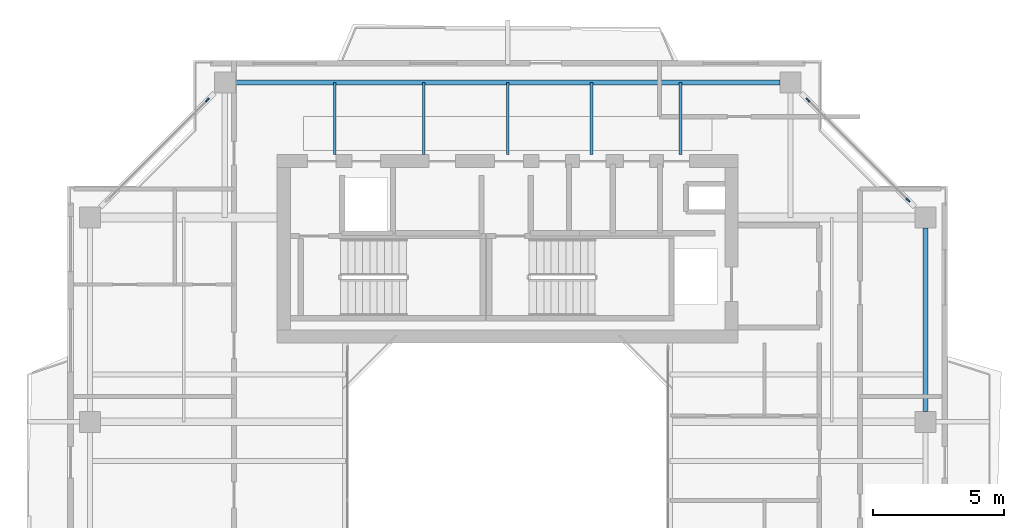
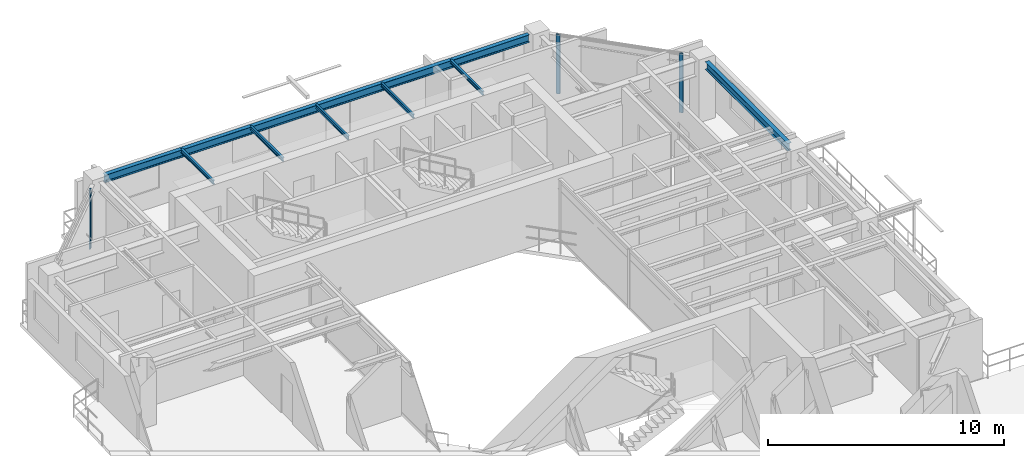
# One storey, part 8 of 16: 7 beams, 3 members, 2 elements without a shape of their own.
"""IFC4 building model written with IfcOpenShell, lengths in metres."""

from ifc_helpers import new_model, si_unit, direction, frame, origin, origin_2d, place, context, subcontext, project, spatial, rectangle, i_section, extrude, source, transform, mapped, material, layer, layer_set, material_profile, profile_set, type_object, element, aggregate, save


model = new_model("IFC4")

# Units and contexts
model_context = context("Model", 3, precision=1e-05, world=origin(), true_north=direction((0.0, 1.0)))
body_context = subcontext(model_context, "Body", "Model", "MODEL_VIEW")
ifc_project = project(units=[si_unit("LENGTHUNIT", "METRE"), si_unit("AREAUNIT", "SQUARE_METRE"), si_unit("VOLUMEUNIT", "CUBIC_METRE"), si_unit("PLANEANGLEUNIT", "RADIAN"), si_unit("MASSUNIT", "GRAM", prefix="KILO"), si_unit("THERMODYNAMICTEMPERATUREUNIT", "KELVIN"), si_unit("POWERUNIT", "WATT")], contexts=[model_context])

# Site, building, storey
site_placement = place(None, origin())
site = spatial("IfcSite", under=ifc_project, at=site_placement, CompositionType="ELEMENT")
building_placement = place(site_placement, origin())
building = spatial("IfcBuilding", under=site, at=building_placement, Name="Qiaomeng Ring Towers", CompositionType="ELEMENT")
storey_placement = place(building_placement, frame((0.0, 0.0, 203.5)))
storey = spatial("IfcBuildingStorey", under=building, at=storey_placement, Name="L59", CompositionType="ELEMENT", Elevation=203.5)

# Beams
ifc_material_1 = material(Name="Steel Q355B", Category="steel")
ifc_material_profile_1 = material_profile(ifc_material_1, i_section(OverallWidth=0.198974609375, OverallDepth=0.39599609375, WebThickness=0.007080078125, FlangeThickness=0.010986328125, FilletRadius=0.01611328125, at=origin_2d()), Name="HN 396x199x7x11")
ifc_profile_set_1 = profile_set([ifc_material_profile_1], Name="Steel Q355B")
beam_type_1 = type_object("IfcBeamType", Name="STR-BM-HN396", PredefinedType="SPANDREL", material=ifc_profile_set_1)
shared_shape_1 = source(origin(), body_context, "Body", "SweptSolid", [
    extrude(i_section(OverallWidth=0.198974609375, OverallDepth=0.39599609375, WebThickness=0.007080078125, FlangeThickness=0.010986328125, FilletRadius=0.01611328125, at=origin_2d()), origin(), (0.0, 0.0, 1.0), 20.8017578125),
])
beam_1_placement = place(storey_placement, frame((29.40087890625, 38.949951171875, 2.8720703125), z_axis=(-1.0, 0.0, 0.0), x_axis=(0.0, -1.0, 0.0)))
element("IfcBeam", 1, at=beam_1_placement, inside=storey, type_object=beam_type_1, Name="L59 beam STR-SP-L59-T1-N2-N1", PredefinedType="SPANDREL", context=body_context, shape_type="MappedRepresentation", body=[
    mapped(shared_shape_1, transform((0.0, 0.0, 0.0), x_axis=(1.0, 0.0, 0.0), y_axis=(0.0, 1.0, 0.0), z_axis=(0.0, 0.0, 1.0), scale=1.0)),
])
shared_shape_2 = source(origin(), body_context, "Body", "SweptSolid", [
    extrude(i_section(OverallWidth=0.198974609375, OverallDepth=0.39599609375, WebThickness=0.007080078125, FlangeThickness=0.010986328125, FilletRadius=0.01611328125, at=origin_2d()), origin(), (0.0, 0.0, 1.0), 7.001953125),
])
beam_2_placement = place(storey_placement, frame((34.949951171875, 26.39892578125, 2.8720703125), z_axis=(0.0, 1.0, 0.0), x_axis=(-1.0, 0.0, 0.0)))
element("IfcBeam", 2, at=beam_2_placement, inside=storey, type_object=beam_type_1, Name="L59 beam STR-SP-L59-T1-E3-E4", PredefinedType="SPANDREL", context=body_context, shape_type="MappedRepresentation", body=[
    mapped(shared_shape_2, transform((0.0, 0.0, 0.0), x_axis=(1.0, 0.0, 0.0), y_axis=(0.0, 1.0, 0.0), z_axis=(0.0, 0.0, 1.0), scale=1.0)),
])
ifc_material_profile_2 = material_profile(ifc_material_1, i_section(OverallWidth=0.10009765625, OverallDepth=0.199951171875, WebThickness=0.005615234375, FlangeThickness=0.008056640625, FilletRadius=0.010986328125, at=origin_2d()), Name="HN 200x100x5.5x8")
ifc_profile_set_2 = profile_set([ifc_material_profile_2], Name="Steel Q355B")
beam_type_2 = type_object("IfcBeamType", Name="STR-BM-HN200", PredefinedType="JOIST", material=ifc_profile_set_2)
shared_shape_3 = source(origin(), body_context, "Body", "SweptSolid", [
    extrude(i_section(OverallWidth=0.10009765625, OverallDepth=0.199951171875, WebThickness=0.005615234375, FlangeThickness=0.008056640625, FilletRadius=0.010986328125, at=origin_2d()), origin(), (0.0, 0.0, 1.0), 2.75),
])
for number, where, z_axis, x_axis, name in (
    (3, (12.39990234375, 36.199951171875, 2.969970703125), (0.0, 1.0, 0.0), (-1.0, 0.0, 0.0), "L59 beam STR-JST-L59-T1N-1"),
    (4, (15.800048828125, 36.199951171875, 2.969970703125), (0.0, 1.0, 0.0), (-1.0, 0.0, 0.0), "L59 beam STR-JST-L59-T1N-2"),
    (5, (19.0, 36.199951171875, 2.969970703125), (0.0, 1.0, 0.0), (-1.0, 0.0, 0.0), "L59 beam STR-JST-L59-T1N-3"),
    (6, (22.199951171875, 36.199951171875, 2.969970703125), (0.0, 1.0, 0.0), (-1.0, 0.0, 0.0), "L59 beam STR-JST-L59-T1N-4"),
    (7, (25.60009765625, 36.199951171875, 2.969970703125), (0.0, 1.0, 0.0), (-1.0, 0.0, 0.0), "L59 beam STR-JST-L59-T1N-5"),
):
    element("IfcBeam", number, at=place(storey_placement, frame(where, z_axis=z_axis, x_axis=x_axis)), inside=storey, type_object=beam_type_2, Name=name, PredefinedType="JOIST", context=body_context, shape_type="MappedRepresentation", body=[
        mapped(shared_shape_3, transform((0.0, 0.0, 0.0), x_axis=(1.0, 0.0, 0.0), y_axis=(0.0, 1.0, 0.0), z_axis=(0.0, 0.0, 1.0), scale=1.0)),
    ])

# Curtain wall, members
ifc_material_2 = material(Name="Fluorocarbon dark-grey aluminium", Category="aluminium")
ifc_layer = layer(ifc_material_2, 0.14990234375, Name="Fluorocarbon dark-grey aluminium")
ifc_layer_set = layer_set([ifc_layer], Name="Fluorocarbon dark-grey aluminium")
curtain_wall_type = type_object("IfcCurtainWallType", Name="ARC-CW-3", PredefinedType="NOTDEFINED", material=ifc_layer_set)
curtain_wall_1_placement = place(storey_placement, origin())
curtain_wall_1 = element("IfcCurtainWall", 8, at=curtain_wall_1_placement, inside=storey, type_object=curtain_wall_type, Name="L59 Curtain Wall CW3", PredefinedType="NOTDEFINED")
ifc_material_profile_3 = material_profile(ifc_material_2, rectangle(XDim=0.070068359375, YDim=0.179931640625, at=origin_2d()), Name="ALU MULL 70x180")
ifc_profile_set_3 = profile_set([ifc_material_profile_3], Name="Fluorocarbon dark-grey aluminium")
member_type = type_object("IfcMemberType", Name="ARC-CWM-160", PredefinedType="MULLION", material=ifc_profile_set_3)
shared_shape_4 = source(origin(), body_context, "Body", "SweptSolid", [
    extrude(rectangle(XDim=0.070068359375, YDim=0.179931640625, at=origin_2d()), origin(), (0.0, 0.0, 1.0), 3.070068359375),
])
member_1_placement = place(storey_placement, frame((34.28515625, 34.46484375, 0.0), z_axis=(0.0, 0.0, 1.0), x_axis=(-0.707106781187, -0.707106781187, 0.0)))
member_1 = element("IfcMember", 9, at=member_1_placement, type_object=member_type, Name="CW3 mullion 1", PredefinedType="MULLION", context=body_context, shape_type="MappedRepresentation", body=[
    mapped(shared_shape_4, transform((0.0, 0.0, 0.0), x_axis=(1.0, 0.0, 0.0), y_axis=(0.0, 1.0, 0.0), z_axis=(0.0, 0.0, 1.0), scale=1.0)),
])
member_2_placement = place(storey_placement, frame((30.46484375, 38.28515625, 0.0), z_axis=(0.0, 0.0, 1.0), x_axis=(-0.707106781187, -0.707106781187, 0.0)))
member_2 = element("IfcMember", 10, at=member_2_placement, type_object=member_type, Name="CW3 mullion 2", PredefinedType="MULLION", context=body_context, shape_type="MappedRepresentation", body=[
    mapped(shared_shape_4, transform((0.0, 0.0, 0.0), x_axis=(1.0, 0.0, 0.0), y_axis=(0.0, 1.0, 0.0), z_axis=(0.0, 0.0, 1.0), scale=1.0)),
])
aggregate(curtain_wall_1, [member_1, member_2])

# Curtain wall, member
curtain_wall_2_placement = place(storey_placement, origin())
curtain_wall_2 = element("IfcCurtainWall", 11, at=curtain_wall_2_placement, inside=storey, type_object=curtain_wall_type, Name="L59 Curtain Wall CW3", PredefinedType="NOTDEFINED")
member_3_placement = place(storey_placement, frame((7.53515625, 38.28515625, 0.0), z_axis=(0.0, 0.0, 1.0), x_axis=(0.707106781187, -0.707106781187, 0.0)))
member_3 = element("IfcMember", 12, at=member_3_placement, type_object=member_type, Name="CW3 mullion 1", PredefinedType="MULLION", context=body_context, shape_type="MappedRepresentation", body=[
    mapped(shared_shape_4, transform((0.0, 0.0, 0.0), x_axis=(1.0, 0.0, 0.0), y_axis=(0.0, 1.0, 0.0), z_axis=(0.0, 0.0, 1.0), scale=1.0)),
])
aggregate(curtain_wall_2, [member_3])

save(model, "model.ifc")
